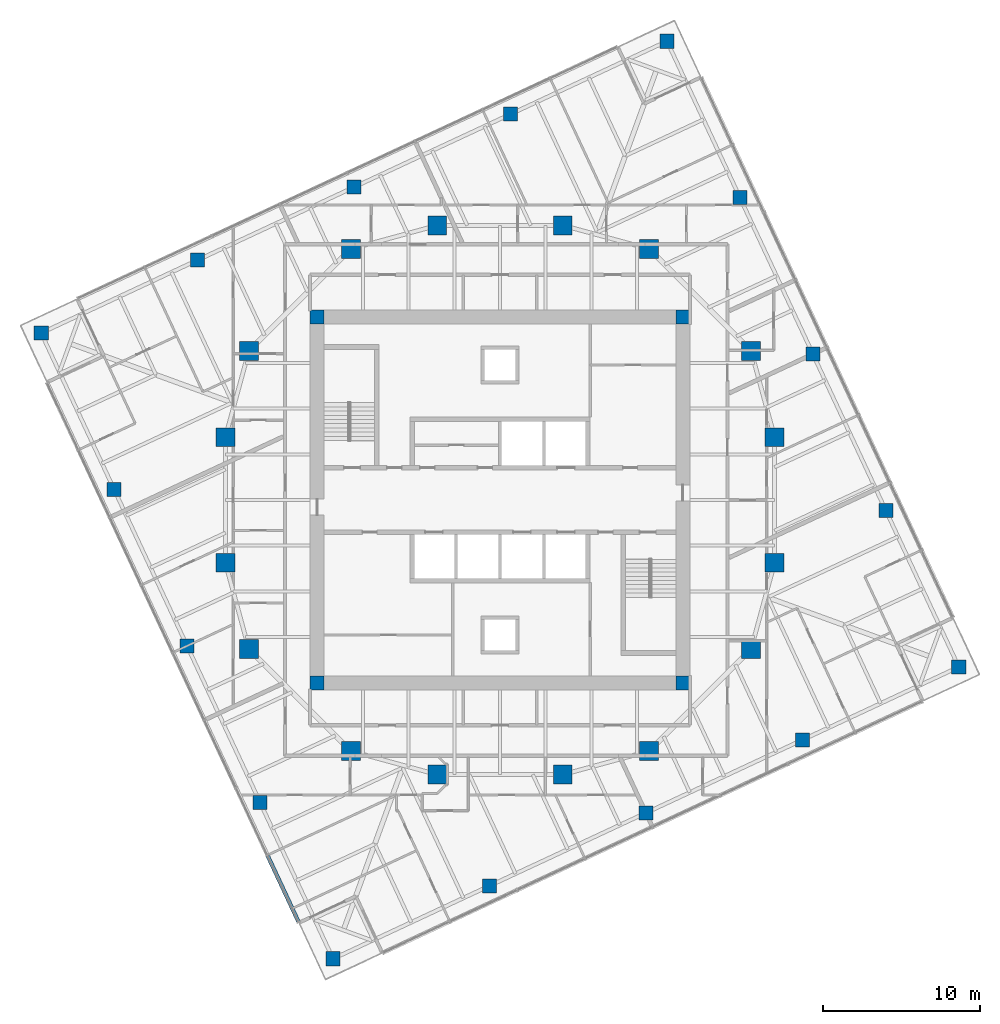
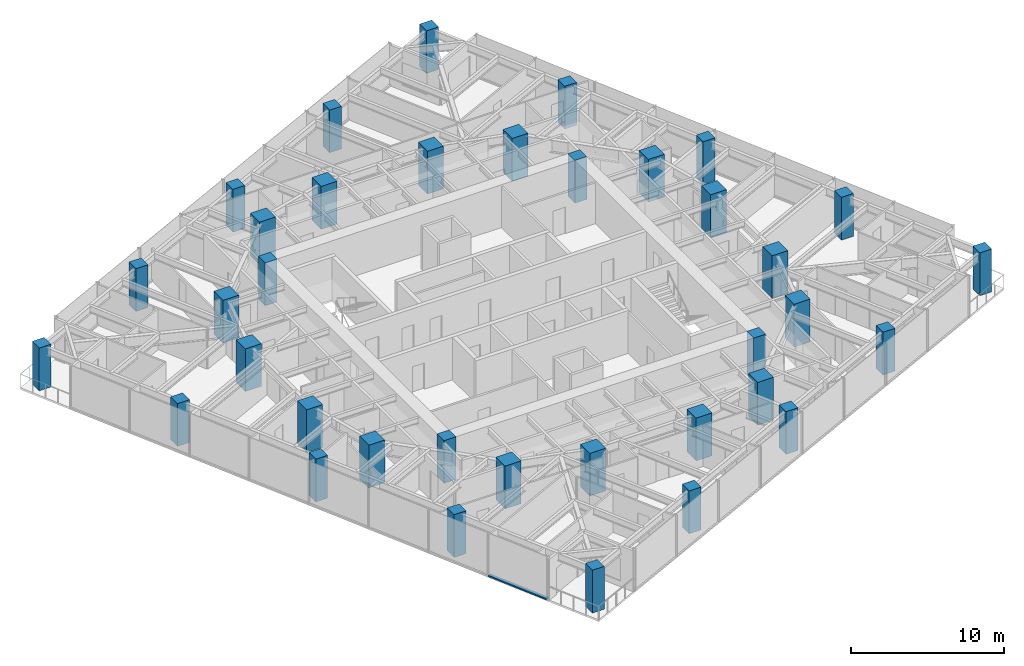
# One storey, part 1 of 13: 36 columns, 1 member, 1 element without a shape of its own.
"""IFC4 building model written with IfcOpenShell, lengths in metres."""

from ifc_helpers import new_model, si_unit, direction, frame, origin, origin_2d, place, context, subcontext, project, spatial, rectangle, extrude, material, material_profile, profile_set, type_object, element, aggregate, save


model = new_model("IFC4")

# Units and contexts
model_context = context("Model", 3, precision=1e-05, world=origin(), true_north=direction((0.0, 1.0)))
body_context = subcontext(model_context, "Body", "Model", "MODEL_VIEW")
ifc_project = project(units=[si_unit("LENGTHUNIT", "METRE"), si_unit("AREAUNIT", "SQUARE_METRE"), si_unit("VOLUMEUNIT", "CUBIC_METRE"), si_unit("PLANEANGLEUNIT", "RADIAN"), si_unit("MASSUNIT", "GRAM", prefix="KILO")], contexts=[model_context])

# Site, building, storey
site_placement = place(None, origin())
site = spatial("IfcSite", under=ifc_project, at=site_placement, CompositionType="ELEMENT")
building_placement = place(site_placement, origin())
building = spatial("IfcBuilding", under=site, at=building_placement, Name="Torsade Residences", CompositionType="ELEMENT")
storey_placement = place(building_placement, frame((0.0, 0.0, 179.39990234375)))
storey = spatial("IfcBuildingStorey", under=building, at=storey_placement, Name="L49", CompositionType="ELEMENT", Elevation=179.39990234375)

# Columns
ifc_material_1 = material(Name="Concrete 80 MPa", Category="concrete")
ifc_material_profile_1 = material_profile(ifc_material_1, rectangle(XDim=0.89990234375, YDim=0.89990234375, at=origin_2d()), Name="RC 900x900")
ifc_profile_set_1 = profile_set([ifc_material_profile_1], Name="Concrete 80 MPa")
column_type_1 = type_object("IfcColumnType", Name="CORE CORNER COLUMN RC 900x900", PredefinedType="COLUMN", material=ifc_profile_set_1)
for number, where, z_axis, x_axis, name in (
    (1, (28.35009765625, 18.35009765625, 0.0), (0.0, 0.0, 1.0), (1.0, 0.0, 0.0), "Core corner column CC1 L49"),
    (2, (51.64990234375, 18.35009765625, 0.0), (0.0, 0.0, 1.0), (1.0, 0.0, 0.0), "Core corner column CC2 L49"),
    (3, (51.64990234375, 41.64990234375, 0.0), (0.0, 0.0, 1.0), (1.0, 0.0, 0.0), "Core corner column CC3 L49"),
    (4, (28.35009765625, 41.64990234375, 0.0), (0.0, 0.0, 1.0), (1.0, 0.0, 0.0), "Core corner column CC4 L49"),
):
    element("IfcColumn", number, at=place(storey_placement, frame(where, z_axis=z_axis, x_axis=x_axis)), inside=storey, type_object=column_type_1, Name=name, PredefinedType="COLUMN", context=body_context, shape_type="SweptSolid", body=[
        extrude(rectangle(XDim=0.89990234375, YDim=0.89990234375, at=origin_2d()), origin(), (0.0, 0.0, 1.0), 3.400146484375),
    ])
ifc_material_2 = material(Name="Concrete 80 MPa", Category="concrete")
ifc_material_profile_2 = material_profile(ifc_material_2, rectangle(XDim=1.199951171875, YDim=1.199951171875, at=origin_2d()), Name="RC 1200x1200")
ifc_profile_set_2 = profile_set([ifc_material_profile_2], Name="Concrete 80 MPa")
column_type_2 = type_object("IfcColumnType", Name="INNER RING COLUMN RC 1200x1200", PredefinedType="COLUMN", material=ifc_profile_set_2)
for number, where, z_axis, x_axis, name in (
    (5, (57.5, 26.0, 0.0), (0.0, 0.0, 1.0), (1.0, 0.0, 0.0), "Inner ring column IR01 L49"),
    (6, (57.5, 34.0, 0.0), (0.0, 0.0, 1.0), (1.0, 0.0, 0.0), "Inner ring column IR02 L49"),
    (7, (56.0, 39.5, 0.0), (0.0, 0.0, 1.0), (1.0, 0.0, 0.0), "Inner ring column IR03 L49"),
    (8, (49.5, 46.0, 0.0), (0.0, 0.0, 1.0), (1.0, 0.0, 0.0), "Inner ring column IR04 L49"),
    (9, (44.0, 47.5, 0.0), (0.0, 0.0, 1.0), (1.0, 0.0, 0.0), "Inner ring column IR05 L49"),
    (10, (36.0, 47.5, 0.0), (0.0, 0.0, 1.0), (1.0, 0.0, 0.0), "Inner ring column IR06 L49"),
    (11, (30.5, 46.0, 0.0), (0.0, 0.0, 1.0), (1.0, 0.0, 0.0), "Inner ring column IR07 L49"),
    (12, (24.0, 39.5, 0.0), (0.0, 0.0, 1.0), (1.0, 0.0, 0.0), "Inner ring column IR08 L49"),
    (13, (22.5, 34.0, 0.0), (0.0, 0.0, 1.0), (1.0, 0.0, 0.0), "Inner ring column IR09 L49"),
    (14, (22.5, 26.0, 0.0), (0.0, 0.0, 1.0), (1.0, 0.0, 0.0), "Inner ring column IR10 L49"),
    (15, (24.0, 20.5, 0.0), (0.0, 0.0, 1.0), (1.0, 0.0, 0.0), "Inner ring column IR11 L49"),
    (16, (30.5, 14.0, 0.0), (0.0, 0.0, 1.0), (1.0, 0.0, 0.0), "Inner ring column IR12 L49"),
    (17, (36.0, 12.5, 0.0), (0.0, 0.0, 1.0), (1.0, 0.0, 0.0), "Inner ring column IR13 L49"),
    (18, (44.0, 12.5, 0.0), (0.0, 0.0, 1.0), (1.0, 0.0, 0.0), "Inner ring column IR14 L49"),
    (19, (49.5, 14.0, 0.0), (0.0, 0.0, 1.0), (1.0, 0.0, 0.0), "Inner ring column IR15 L49"),
    (20, (56.0, 20.5, 0.0), (0.0, 0.0, 1.0), (1.0, 0.0, 0.0), "Inner ring column IR16 L49"),
):
    element("IfcColumn", number, at=place(storey_placement, frame(where, z_axis=z_axis, x_axis=x_axis)), inside=storey, type_object=column_type_2, Name=name, PredefinedType="COLUMN", context=body_context, shape_type="SweptSolid", body=[
        extrude(rectangle(XDim=1.199951171875, YDim=1.199951171875, at=origin_2d()), origin(), (0.0, 0.0, 1.0), 3.400146484375),
    ])
ifc_material_3 = material(Name="Concrete 80 MPa", Category="concrete")
ifc_material_profile_3 = material_profile(ifc_material_3, rectangle(XDim=0.89990234375, YDim=0.89990234375, at=origin_2d()), Name="RC 900x900")
ifc_profile_set_3 = profile_set([ifc_material_profile_3], Name="Concrete 80 MPa")
column_type_3 = type_object("IfcColumnType", Name="TOWER COLUMN RC 900x900", PredefinedType="COLUMN", material=ifc_profile_set_3)
for number, where, z_axis, x_axis, name in (
    (21, (29.35888671875, 0.763671875, 0.0), (0.0, 0.0, 1.0), (1.0, 0.0, 0.0), "Column TC6-01 L49"),
    (22, (39.328125, 5.412353515625, 0.0), (0.0, 0.0, 1.0), (1.0, 0.0, 0.0), "Column TC6-02 L49"),
    (23, (49.297607421875, 10.061279296875, 0.0), (0.0, 0.0, 1.0), (1.0, 0.0, 0.0), "Column TC6-03 L49"),
    (24, (59.26708984375, 14.7099609375, 0.0), (0.0, 0.0, 1.0), (1.0, 0.0, 0.0), "Column TC6-04 L49"),
    (25, (69.236328125, 19.35888671875, 0.0), (0.0, 0.0, 1.0), (1.0, 0.0, 0.0), "Column TC6-05 L49"),
    (26, (64.587646484375, 29.328125, 0.0), (0.0, 0.0, 1.0), (1.0, 0.0, 0.0), "Column TC6-06 L49"),
    (27, (59.938720703125, 39.297607421875, 0.0), (0.0, 0.0, 1.0), (1.0, 0.0, 0.0), "Column TC6-07 L49"),
    (28, (55.2900390625, 49.26708984375, 0.0), (0.0, 0.0, 1.0), (1.0, 0.0, 0.0), "Column TC6-08 L49"),
    (29, (50.64111328125, 59.236328125, 0.0), (0.0, 0.0, 1.0), (1.0, 0.0, 0.0), "Column TC6-09 L49"),
    (30, (40.671875, 54.587646484375, 0.0), (0.0, 0.0, 1.0), (1.0, 0.0, 0.0), "Column TC6-10 L49"),
    (31, (30.702392578125, 49.938720703125, 0.0), (0.0, 0.0, 1.0), (1.0, 0.0, 0.0), "Column TC6-11 L49"),
    (32, (20.73291015625, 45.2900390625, 0.0), (0.0, 0.0, 1.0), (1.0, 0.0, 0.0), "Column TC6-12 L49"),
    (33, (10.763671875, 40.64111328125, 0.0), (0.0, 0.0, 1.0), (1.0, 0.0, 0.0), "Column TC6-13 L49"),
    (34, (15.412353515625, 30.671875, 0.0), (0.0, 0.0, 1.0), (1.0, 0.0, 0.0), "Column TC6-14 L49"),
    (35, (20.061279296875, 20.702392578125, 0.0), (0.0, 0.0, 1.0), (1.0, 0.0, 0.0), "Column TC6-15 L49"),
    (36, (24.7099609375, 10.73291015625, 0.0), (0.0, 0.0, 1.0), (1.0, 0.0, 0.0), "Column TC6-16 L49"),
):
    element("IfcColumn", number, at=place(storey_placement, frame(where, z_axis=z_axis, x_axis=x_axis)), inside=storey, type_object=column_type_3, Name=name, PredefinedType="COLUMN", context=body_context, shape_type="SweptSolid", body=[
        extrude(rectangle(XDim=0.89990234375, YDim=0.89990234375, at=origin_2d()), origin(), (0.0, 0.0, 1.0), 3.400146484375),
    ])

# Curtain wall, member
ifc_material_4 = material(Name="Aluminium and glass", Category="aluminium")
curtain_wall_type = type_object("IfcCurtainWallType", Name="FRITTED GLASS CURTAIN WALL MID ZONE", PredefinedType="NOTDEFINED", material=ifc_material_4)
curtain_wall_placement = place(storey_placement, origin())
curtain_wall = element("IfcCurtainWall", 37, at=curtain_wall_placement, inside=storey, type_object=curtain_wall_type, Name="Curtain wall L49 face 10", PredefinedType="NOTDEFINED")
ifc_material_5 = material(Name="Aluminium transom", Category="aluminium")
ifc_material_profile_4 = material_profile(ifc_material_5, rectangle(XDim=0.25, YDim=0.110107421875, at=origin_2d()), Name="MID ZONE CURTAIN WALL TRANSOM 250x110")
ifc_profile_set_4 = profile_set([ifc_material_profile_4], Name="Aluminium transom")
member_type = type_object("IfcMemberType", Name="MID ZONE CURTAIN WALL TRANSOM 250x110", PredefinedType="USERDEFINED", material=ifc_profile_set_4)
member_placement = place(storey_placement, frame((25.194091796875, 7.32861328125, 0.05517578125), z_axis=(0.422622764878, -0.906305687176, 0.0), x_axis=(0.906305687176, 0.422622764878, 0.0)))
member = element("IfcMember", 38, at=member_placement, type_object=member_type, Name="Transom 8.1", ObjectType="TRANSOM", PredefinedType="USERDEFINED", context=body_context, shape_type="SweptSolid", body=[
    extrude(rectangle(XDim=0.25, YDim=0.110107421875, at=origin_2d()), origin(), (0.0, 0.0, 1.0), 4.630126953125),
])
aggregate(curtain_wall, [member])

save(model, "model.ifc")
